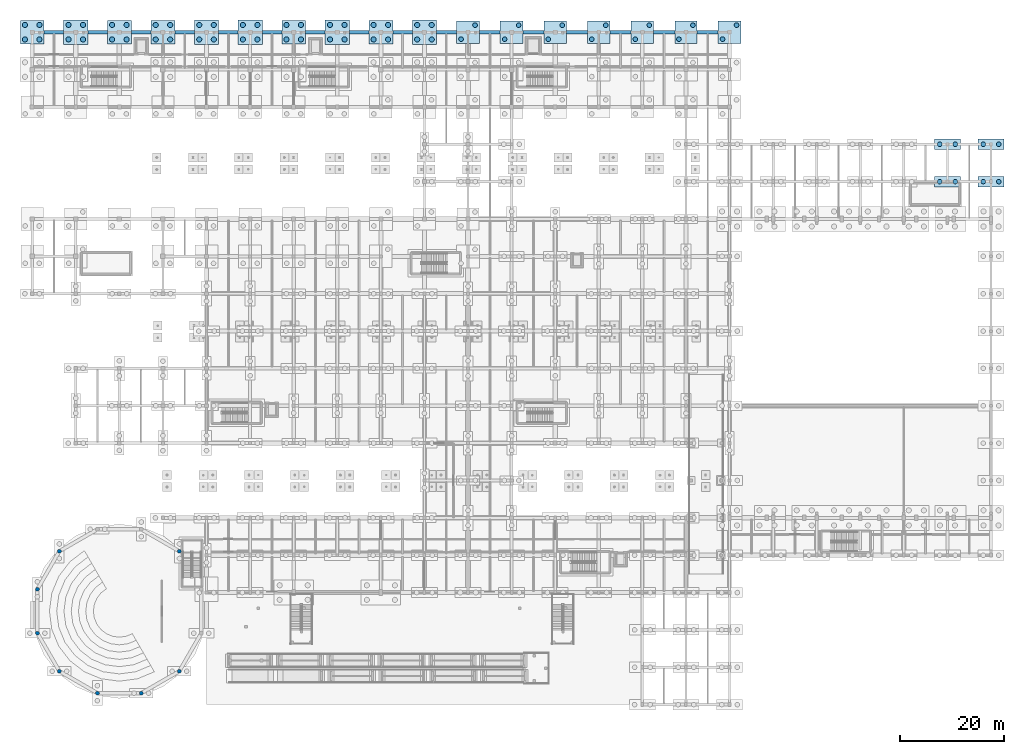
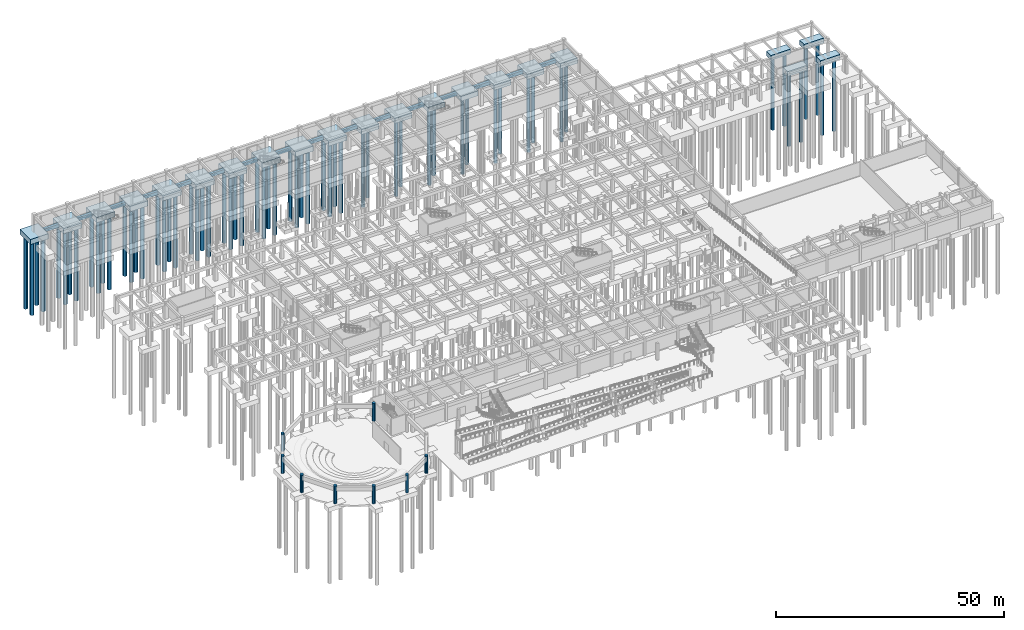
# One storey, part 15 of 80: 62 piles, 37 footings, 8 columns.
"""IFC4 building model written with IfcOpenShell, lengths in metres."""

from ifc_helpers import new_model, si_unit, direction, frame, origin, origin_2d, place, context, subcontext, project, spatial, polyline, rectangle, circle, outline, extrude, material, material_profile, profile_set, type_object, element, save


model = new_model("IFC4")

# Units and contexts
model_context = context("Model", 3, precision=1e-05, world=origin(), true_north=direction((0.0, 1.0)))
body_context = subcontext(model_context, "Body", "Model", "MODEL_VIEW")
ifc_project = project(units=[si_unit("LENGTHUNIT", "METRE"), si_unit("AREAUNIT", "SQUARE_METRE"), si_unit("VOLUMEUNIT", "CUBIC_METRE"), si_unit("PLANEANGLEUNIT", "RADIAN"), si_unit("MASSUNIT", "GRAM", prefix="KILO")], contexts=[model_context])

# Site, building, storey
site_placement = place(None, origin())
site = spatial("IfcSite", under=ifc_project, at=site_placement, CompositionType="ELEMENT")
building_placement = place(site_placement, origin())
building = spatial("IfcBuilding", under=site, at=building_placement, Name="Malvenik Polytechnic", CompositionType="ELEMENT")
storey_placement = place(building_placement, frame((0.0, 0.0, -4.800048828125)))
storey = spatial("IfcBuildingStorey", under=building, at=storey_placement, Name="B1", CompositionType="ELEMENT", Elevation=-4.800048828125)

# Footings
ifc_material_1 = material(Name="Concrete C35/45", Category="concrete")
footing_type_1 = type_object("IfcFootingType", Name="STR-PC-2000x5000x1300", PredefinedType="PILE_CAP", material=ifc_material_1)
for number, where, z_axis, x_axis, name in (
    (1, (176.39990234375, 100.800048828125, -1.2998046875), (0.0, 0.0, 1.0), (1.0, 0.0, 0.0), "Pile Cap PC-03 #248"),
    (2, (176.39990234375, 108.0, -1.2998046875), (0.0, 0.0, 1.0), (1.0, 0.0, 0.0), "Pile Cap PC-03 #249"),
    (3, (184.800048828125, 100.800048828125, -1.2998046875), (0.0, 0.0, 1.0), (1.0, 0.0, 0.0), "Pile Cap PC-03 #260"),
    (4, (184.800048828125, 108.0, -1.2998046875), (0.0, 0.0, 1.0), (1.0, 0.0, 0.0), "Pile Cap PC-03 #261"),
):
    element("IfcFooting", number, at=place(storey_placement, frame(where, z_axis=z_axis, x_axis=x_axis)), inside=storey, type_object=footing_type_1, Name=name, PredefinedType="PILE_CAP", context=body_context, shape_type="SweptSolid", body=[
        extrude(rectangle(XDim=5.0, YDim=2.0, at=origin_2d()), origin(), (0.0, 0.0, 1.0), 1.300048828125),
    ])
footing_type_2 = type_object("IfcFootingType", Name="STR-PC-4600x4600x1400", PredefinedType="PILE_CAP", material=ifc_material_1)
for number, where, z_axis, x_axis, name in (
    (5, (0.0, 129.60009765625, -1.39990234375), (0.0, 0.0, 1.0), (1.0, 0.0, 0.0), "Pile Cap PC-05 #6"),
    (6, (16.800048828125, 129.60009765625, -1.39990234375), (0.0, 0.0, 1.0), (1.0, 0.0, 0.0), "Pile Cap PC-05 #28"),
    (7, (25.199951171875, 129.60009765625, -1.39990234375), (0.0, 0.0, 1.0), (1.0, 0.0, 0.0), "Pile Cap PC-05 #40"),
    (8, (50.39990234375, 129.60009765625, -1.39990234375), (0.0, 0.0, 1.0), (1.0, 0.0, 0.0), "Pile Cap PC-05 #81"),
    (9, (67.199951171875, 129.60009765625, -1.39990234375), (0.0, 0.0, 1.0), (1.0, 0.0, 0.0), "Pile Cap PC-05 #105"),
):
    element("IfcFooting", number, at=place(storey_placement, frame(where, z_axis=z_axis, x_axis=x_axis)), inside=storey, type_object=footing_type_2, Name=name, PredefinedType="PILE_CAP", context=body_context, shape_type="SweptSolid", body=[
        extrude(rectangle(XDim=4.60009765625, YDim=4.60009765625, at=origin_2d()), origin(), (0.0, 0.0, 1.0), 1.39990234375),
    ])
footing_type_3 = type_object("IfcFootingType", Name="STR-PC-4700x4700x1450", PredefinedType="PILE_CAP", material=ifc_material_1)
for number, where, z_axis, x_axis, name in (
    (10, (8.39990234375, 129.60009765625, -1.44970703125), (0.0, 0.0, 1.0), (1.0, 0.0, 0.0), "Pile Cap PC-12 #19"),
    (11, (33.60009765625, 129.60009765625, -1.44970703125), (0.0, 0.0, 1.0), (1.0, 0.0, 0.0), "Pile Cap PC-12 #56"),
    (12, (42.0, 129.60009765625, -1.44970703125), (0.0, 0.0, 1.0), (1.0, 0.0, 0.0), "Pile Cap PC-12 #68"),
    (13, (58.800048828125, 129.60009765625, -1.44970703125), (0.0, 0.0, 1.0), (1.0, 0.0, 0.0), "Pile Cap PC-12 #92"),
    (14, (75.60009765625, 129.60009765625, -1.44970703125), (0.0, 0.0, 1.0), (1.0, 0.0, 0.0), "Pile Cap PC-12 #120"),
):
    element("IfcFooting", number, at=place(storey_placement, frame(where, z_axis=z_axis, x_axis=x_axis)), inside=storey, type_object=footing_type_3, Name=name, PredefinedType="PILE_CAP", context=body_context, shape_type="SweptSolid", body=[
        extrude(rectangle(XDim=4.699951171875, YDim=4.699951171875, at=origin_2d()), origin(), (0.0, 0.0, 1.0), 1.449951171875),
    ])
footing_type_4 = type_object("IfcFootingType", Name="STR-PC-COMB-36", PredefinedType="PILE_CAP", material=ifc_material_1)
footing_1_placement = place(storey_placement, frame((84.0, 129.60009765625, -1.35009765625), z_axis=(0.0, 0.0, 1.0), x_axis=(1.0, 0.0, 0.0)))
element("IfcFooting", 15, at=footing_1_placement, inside=storey, type_object=footing_type_4, Name="Pile Cap PCC-36 #136", PredefinedType="PILE_CAP", context=body_context, shape_type="SweptSolid", body=[
    extrude(rectangle(XDim=4.39990234375, YDim=4.39990234375, at=origin_2d()), origin(), (0.0, 0.0, 1.0), 1.35009765625),
])
footing_type_5 = type_object("IfcFootingType", Name="STR-PC-COMB-39", PredefinedType="PILE_CAP", material=ifc_material_1)
footing_2_placement = place(storey_placement, frame((92.39990234375, 129.60009765625, -1.35009765625), z_axis=(0.0, 0.0, 1.0), x_axis=(1.0, 0.0, 0.0)))
element("IfcFooting", 16, at=footing_2_placement, inside=storey, type_object=footing_type_5, Name="Pile Cap PCC-39 #152", PredefinedType="PILE_CAP", context=body_context, shape_type="SweptSolid", body=[
    extrude(rectangle(XDim=4.39990234375, YDim=4.39990234375, at=origin_2d()), origin(), (0.0, 0.0, 1.0), 1.35009765625),
])
footing_type_6 = type_object("IfcFootingType", Name="STR-PC-COMB-41", PredefinedType="PILE_CAP", material=ifc_material_1)
footing_3_placement = place(storey_placement, frame((100.800048828125, 129.60009765625, -1.2998046875), z_axis=(0.0, 0.0, 1.0), x_axis=(1.0, 0.0, 0.0)))
element("IfcFooting", 17, at=footing_3_placement, inside=storey, type_object=footing_type_6, Name="Pile Cap PCC-41 #163", PredefinedType="PILE_CAP", context=body_context, shape_type="SweptSolid", body=[
    extrude(rectangle(XDim=4.300048828125, YDim=4.300048828125, at=origin_2d()), origin(), (0.0, 0.0, 1.0), 1.300048828125),
])
footing_type_7 = type_object("IfcFootingType", Name="STR-PC-COMB-44", PredefinedType="PILE_CAP", material=ifc_material_1)
footing_4_placement = place(storey_placement, frame((109.199951171875, 129.60009765625, -1.2998046875), z_axis=(0.0, 0.0, 1.0), x_axis=(1.0, 0.0, 0.0)))
element("IfcFooting", 18, at=footing_4_placement, inside=storey, type_object=footing_type_7, Name="Pile Cap PCC-44 #175", PredefinedType="PILE_CAP", context=body_context, shape_type="SweptSolid", body=[
    extrude(rectangle(XDim=4.300048828125, YDim=4.300048828125, at=origin_2d()), origin(), (0.0, 0.0, 1.0), 1.300048828125),
])
footing_type_8 = type_object("IfcFootingType", Name="STR-PC-COMB-47", PredefinedType="PILE_CAP", material=ifc_material_1)
footing_5_placement = place(storey_placement, frame((117.60009765625, 129.60009765625, -1.2998046875), z_axis=(0.0, 0.0, 1.0), x_axis=(1.0, 0.0, 0.0)))
element("IfcFooting", 19, at=footing_5_placement, inside=storey, type_object=footing_type_8, Name="Pile Cap PCC-47 #191", PredefinedType="PILE_CAP", context=body_context, shape_type="SweptSolid", body=[
    extrude(rectangle(XDim=4.300048828125, YDim=4.300048828125, at=origin_2d()), origin(), (0.0, 0.0, 1.0), 1.300048828125),
])
footing_type_9 = type_object("IfcFootingType", Name="STR-PC-COMB-50", PredefinedType="PILE_CAP", material=ifc_material_1)
footing_6_placement = place(storey_placement, frame((126.0, 129.60009765625, -1.2998046875), z_axis=(0.0, 0.0, 1.0), x_axis=(1.0, 0.0, 0.0)))
element("IfcFooting", 20, at=footing_6_placement, inside=storey, type_object=footing_type_9, Name="Pile Cap PCC-50 #209", PredefinedType="PILE_CAP", context=body_context, shape_type="SweptSolid", body=[
    extrude(rectangle(XDim=4.300048828125, YDim=4.300048828125, at=origin_2d()), origin(), (0.0, 0.0, 1.0), 1.300048828125),
])
footing_type_10 = type_object("IfcFootingType", Name="STR-PC-COMB-53", PredefinedType="PILE_CAP", material=ifc_material_1)
footing_7_placement = place(storey_placement, frame((134.39990234375, 129.60009765625, -1.35009765625), z_axis=(0.0, 0.0, 1.0), x_axis=(1.0, 0.0, 0.0)))
element("IfcFooting", 21, at=footing_7_placement, inside=storey, type_object=footing_type_10, Name="Pile Cap PCC-53 #228", PredefinedType="PILE_CAP", context=body_context, shape_type="SweptSolid", body=[
    extrude(rectangle(XDim=4.39990234375, YDim=4.39990234375, at=origin_2d()), origin(), (0.0, 0.0, 1.0), 1.35009765625),
])

# Piles
ifc_material_profile_1 = material_profile(ifc_material_1, circle(Radius=0.5, at=origin_2d()), Name="BORED PILE D1000")
ifc_profile_set_1 = profile_set([ifc_material_profile_1], Name="Concrete C35/45")
pile_type_1 = type_object("IfcPileType", Name="STR-PL-D1000-196", PredefinedType="BORED", material=ifc_profile_set_1)
for number, where, z_axis, x_axis, name in (
    (22, (-1.39990234375, 128.199951171875, -1.300048828125), (0.0, 0.0, -1.0), (1.0, 0.0, 0.0), "Bored Pile PL-04 #13"),
    (23, (-1.39990234375, 131.0, -1.300048828125), (0.0, 0.0, -1.0), (1.0, 0.0, 0.0), "Bored Pile PL-04 #14"),
    (24, (1.39990234375, 128.199951171875, -1.300048828125), (0.0, 0.0, -1.0), (1.0, 0.0, 0.0), "Bored Pile PL-04 #15"),
    (25, (1.39990234375, 131.0, -1.300048828125), (0.0, 0.0, -1.0), (1.0, 0.0, 0.0), "Bored Pile PL-04 #16"),
    (26, (7.0, 128.199951171875, -1.349853515625), (0.0, 0.0, -1.0), (1.0, 0.0, 0.0), "Bored Pile PL-04 #43"),
    (27, (7.0, 131.0, -1.349853515625), (0.0, 0.0, -1.0), (1.0, 0.0, 0.0), "Bored Pile PL-04 #44"),
    (28, (9.800048828125, 128.199951171875, -1.349853515625), (0.0, 0.0, -1.0), (1.0, 0.0, 0.0), "Bored Pile PL-04 #45"),
    (29, (9.800048828125, 131.0, -1.349853515625), (0.0, 0.0, -1.0), (1.0, 0.0, 0.0), "Bored Pile PL-04 #46"),
    (30, (15.39990234375, 128.199951171875, -1.300048828125), (0.0, 0.0, -1.0), (1.0, 0.0, 0.0), "Bored Pile PL-04 #63"),
    (31, (15.39990234375, 131.0, -1.300048828125), (0.0, 0.0, -1.0), (1.0, 0.0, 0.0), "Bored Pile PL-04 #64"),
    (32, (18.199951171875, 128.199951171875, -1.300048828125), (0.0, 0.0, -1.0), (1.0, 0.0, 0.0), "Bored Pile PL-04 #65"),
    (33, (18.199951171875, 131.0, -1.300048828125), (0.0, 0.0, -1.0), (1.0, 0.0, 0.0), "Bored Pile PL-04 #66"),
    (34, (23.800048828125, 128.199951171875, -1.300048828125), (0.0, 0.0, -1.0), (1.0, 0.0, 0.0), "Bored Pile PL-04 #91"),
    (35, (23.800048828125, 131.0, -1.300048828125), (0.0, 0.0, -1.0), (1.0, 0.0, 0.0), "Bored Pile PL-04 #92"),
    (36, (26.60009765625, 128.199951171875, -1.300048828125), (0.0, 0.0, -1.0), (1.0, 0.0, 0.0), "Bored Pile PL-04 #93"),
    (37, (26.60009765625, 131.0, -1.300048828125), (0.0, 0.0, -1.0), (1.0, 0.0, 0.0), "Bored Pile PL-04 #94"),
    (38, (32.199951171875, 128.199951171875, -1.349853515625), (0.0, 0.0, -1.0), (1.0, 0.0, 0.0), "Bored Pile PL-04 #127"),
    (39, (32.199951171875, 131.0, -1.349853515625), (0.0, 0.0, -1.0), (1.0, 0.0, 0.0), "Bored Pile PL-04 #128"),
    (40, (35.0, 128.199951171875, -1.349853515625), (0.0, 0.0, -1.0), (1.0, 0.0, 0.0), "Bored Pile PL-04 #129"),
    (41, (35.0, 131.0, -1.349853515625), (0.0, 0.0, -1.0), (1.0, 0.0, 0.0), "Bored Pile PL-04 #130"),
    (42, (40.60009765625, 128.199951171875, -1.349853515625), (0.0, 0.0, -1.0), (1.0, 0.0, 0.0), "Bored Pile PL-04 #155"),
    (43, (40.60009765625, 131.0, -1.349853515625), (0.0, 0.0, -1.0), (1.0, 0.0, 0.0), "Bored Pile PL-04 #156"),
    (44, (43.39990234375, 128.199951171875, -1.349853515625), (0.0, 0.0, -1.0), (1.0, 0.0, 0.0), "Bored Pile PL-04 #157"),
    (45, (43.39990234375, 131.0, -1.349853515625), (0.0, 0.0, -1.0), (1.0, 0.0, 0.0), "Bored Pile PL-04 #158"),
    (46, (49.0, 128.199951171875, -1.300048828125), (0.0, 0.0, -1.0), (1.0, 0.0, 0.0), "Bored Pile PL-04 #187"),
    (47, (49.0, 131.0, -1.300048828125), (0.0, 0.0, -1.0), (1.0, 0.0, 0.0), "Bored Pile PL-04 #188"),
    (48, (51.800048828125, 128.199951171875, -1.300048828125), (0.0, 0.0, -1.0), (1.0, 0.0, 0.0), "Bored Pile PL-04 #189"),
    (49, (51.800048828125, 131.0, -1.300048828125), (0.0, 0.0, -1.0), (1.0, 0.0, 0.0), "Bored Pile PL-04 #190"),
    (50, (57.39990234375, 128.199951171875, -1.349853515625), (0.0, 0.0, -1.0), (1.0, 0.0, 0.0), "Bored Pile PL-04 #211"),
    (51, (57.39990234375, 131.0, -1.349853515625), (0.0, 0.0, -1.0), (1.0, 0.0, 0.0), "Bored Pile PL-04 #212"),
    (52, (60.199951171875, 128.199951171875, -1.349853515625), (0.0, 0.0, -1.0), (1.0, 0.0, 0.0), "Bored Pile PL-04 #213"),
    (53, (60.199951171875, 131.0, -1.349853515625), (0.0, 0.0, -1.0), (1.0, 0.0, 0.0), "Bored Pile PL-04 #214"),
    (54, (65.800048828125, 128.199951171875, -1.300048828125), (0.0, 0.0, -1.0), (1.0, 0.0, 0.0), "Bored Pile PL-04 #243"),
    (55, (65.800048828125, 131.0, -1.300048828125), (0.0, 0.0, -1.0), (1.0, 0.0, 0.0), "Bored Pile PL-04 #244"),
    (56, (68.60009765625, 128.199951171875, -1.300048828125), (0.0, 0.0, -1.0), (1.0, 0.0, 0.0), "Bored Pile PL-04 #245"),
    (57, (68.60009765625, 131.0, -1.300048828125), (0.0, 0.0, -1.0), (1.0, 0.0, 0.0), "Bored Pile PL-04 #246"),
    (58, (74.199951171875, 128.199951171875, -1.349853515625), (0.0, 0.0, -1.0), (1.0, 0.0, 0.0), "Bored Pile PL-04 #277"),
    (59, (74.199951171875, 131.0, -1.349853515625), (0.0, 0.0, -1.0), (1.0, 0.0, 0.0), "Bored Pile PL-04 #278"),
    (60, (77.0, 128.199951171875, -1.349853515625), (0.0, 0.0, -1.0), (1.0, 0.0, 0.0), "Bored Pile PL-04 #279"),
    (61, (77.0, 131.0, -1.349853515625), (0.0, 0.0, -1.0), (1.0, 0.0, 0.0), "Bored Pile PL-04 #280"),
):
    element("IfcPile", number, at=place(storey_placement, frame(where, z_axis=z_axis, x_axis=x_axis)), inside=storey, type_object=pile_type_1, Name=name, PredefinedType="BORED", context=body_context, shape_type="SweptSolid", body=[
        extrude(circle(Radius=0.5, at=origin_2d()), origin(), (0.0, 0.0, 1.0), 19.60009765625),
    ])
ifc_material_profile_2 = material_profile(ifc_material_1, circle(Radius=0.449951171875, at=origin_2d()), Name="BORED PILE D900")
ifc_profile_set_2 = profile_set([ifc_material_profile_2], Name="Concrete C35/45")
pile_type_2 = type_object("IfcPileType", Name="STR-PL-D900-195", PredefinedType="BORED", material=ifc_profile_set_2)
for number, where, z_axis, x_axis, name in (
    (62, (174.89990234375, 100.800048828125, -1.199951171875), (0.0, 0.0, -1.0), (1.0, 0.0, 0.0), "Bored Pile PL-01 #575"),
    (63, (177.89990234375, 100.800048828125, -1.199951171875), (0.0, 0.0, -1.0), (1.0, 0.0, 0.0), "Bored Pile PL-01 #576"),
    (64, (174.89990234375, 108.0, -1.199951171875), (0.0, 0.0, -1.0), (1.0, 0.0, 0.0), "Bored Pile PL-01 #577"),
    (65, (177.89990234375, 108.0, -1.199951171875), (0.0, 0.0, -1.0), (1.0, 0.0, 0.0), "Bored Pile PL-01 #578"),
    (66, (183.300048828125, 100.800048828125, -1.199951171875), (0.0, 0.0, -1.0), (1.0, 0.0, 0.0), "Bored Pile PL-01 #603"),
    (67, (186.300048828125, 100.800048828125, -1.199951171875), (0.0, 0.0, -1.0), (1.0, 0.0, 0.0), "Bored Pile PL-01 #604"),
    (68, (183.300048828125, 108.0, -1.199951171875), (0.0, 0.0, -1.0), (1.0, 0.0, 0.0), "Bored Pile PL-01 #605"),
    (69, (186.300048828125, 108.0, -1.199951171875), (0.0, 0.0, -1.0), (1.0, 0.0, 0.0), "Bored Pile PL-01 #606"),
):
    element("IfcPile", number, at=place(storey_placement, frame(where, z_axis=z_axis, x_axis=x_axis)), inside=storey, type_object=pile_type_2, Name=name, PredefinedType="BORED", context=body_context, shape_type="SweptSolid", body=[
        extrude(circle(Radius=0.449951171875, at=origin_2d()), origin(), (0.0, 0.0, 1.0), 19.5),
    ])
ifc_material_profile_3 = material_profile(ifc_material_1, circle(Radius=0.449951171875, at=origin_2d()), Name="BORED PILE D900")
ifc_profile_set_3 = profile_set([ifc_material_profile_3], Name="Concrete C35/45")
pile_type_3 = type_object("IfcPileType", Name="STR-PL-D900-202", PredefinedType="BORED", material=ifc_profile_set_3)
for number, where, z_axis, x_axis, name in (
    (70, (82.64990234375, 128.25, -1.25), (0.0, 0.0, -1.0), (1.0, 0.0, 0.0), "Bored Pile PL-03 #311"),
    (71, (85.35009765625, 130.949951171875, -1.25), (0.0, 0.0, -1.0), (1.0, 0.0, 0.0), "Bored Pile PL-03 #312"),
    (72, (91.050048828125, 128.25, -1.25), (0.0, 0.0, -1.0), (1.0, 0.0, 0.0), "Bored Pile PL-03 #343"),
    (73, (93.75, 130.949951171875, -1.25), (0.0, 0.0, -1.0), (1.0, 0.0, 0.0), "Bored Pile PL-03 #344"),
    (74, (99.449951171875, 128.25, -1.199951171875), (0.0, 0.0, -1.0), (1.0, 0.0, 0.0), "Bored Pile PL-03 #365"),
    (75, (102.14990234375, 130.949951171875, -1.199951171875), (0.0, 0.0, -1.0), (1.0, 0.0, 0.0), "Bored Pile PL-03 #366"),
    (76, (107.85009765625, 128.25, -1.199951171875), (0.0, 0.0, -1.0), (1.0, 0.0, 0.0), "Bored Pile PL-03 #389"),
    (77, (110.550048828125, 130.949951171875, -1.199951171875), (0.0, 0.0, -1.0), (1.0, 0.0, 0.0), "Bored Pile PL-03 #390"),
    (78, (116.25, 128.25, -1.199951171875), (0.0, 0.0, -1.0), (1.0, 0.0, 0.0), "Bored Pile PL-03 #421"),
    (79, (118.949951171875, 130.949951171875, -1.199951171875), (0.0, 0.0, -1.0), (1.0, 0.0, 0.0), "Bored Pile PL-03 #422"),
    (80, (124.64990234375, 128.25, -1.199951171875), (0.0, 0.0, -1.0), (1.0, 0.0, 0.0), "Bored Pile PL-03 #457"),
    (81, (127.35009765625, 130.949951171875, -1.199951171875), (0.0, 0.0, -1.0), (1.0, 0.0, 0.0), "Bored Pile PL-03 #458"),
    (82, (133.050048828125, 128.25, -1.25), (0.0, 0.0, -1.0), (1.0, 0.0, 0.0), "Bored Pile PL-03 #499"),
    (83, (135.75, 130.949951171875, -1.25), (0.0, 0.0, -1.0), (1.0, 0.0, 0.0), "Bored Pile PL-03 #500"),
):
    element("IfcPile", number, at=place(storey_placement, frame(where, z_axis=z_axis, x_axis=x_axis)), inside=storey, type_object=pile_type_3, Name=name, PredefinedType="BORED", context=body_context, shape_type="SweptSolid", body=[
        extrude(circle(Radius=0.449951171875, at=origin_2d()), origin(), (0.0, 0.0, 1.0), 20.199951171875),
    ])

# Footings
footing_type_11 = type_object("IfcFootingType", Name="STR-SF-700x900", PredefinedType="STRIP_FOOTING", material=ifc_material_1)
footing_8_placement = place(storey_placement, frame((0.0, 0.0, -0.89990234375)))
element("IfcFooting", 84, at=footing_8_placement, inside=storey, type_object=footing_type_11, Name="Ground Tie Beam SF-03 #158", PredefinedType="STRIP_FOOTING", context=body_context, shape_type="SweptSolid", body=[
    extrude(outline(polyline([(2.300048828125, 129.25), (6.050048828125, 129.25), (6.050048828125, 129.949951171875), (2.300048828125, 129.949951171875), (2.300048828125, 129.25)])), origin(), (0.0, 0.0, 1.0), 0.89990234375),
])
footing_9_placement = place(storey_placement, frame((0.0, 0.0, -0.89990234375)))
element("IfcFooting", 85, at=footing_9_placement, inside=storey, type_object=footing_type_11, Name="Ground Tie Beam SF-03 #159", PredefinedType="STRIP_FOOTING", context=body_context, shape_type="SweptSolid", body=[
    extrude(outline(polyline([(10.75, 129.25), (14.5, 129.25), (14.5, 129.949951171875), (10.75, 129.949951171875), (10.75, 129.25)])), origin(), (0.0, 0.0, 1.0), 0.89990234375),
])
footing_10_placement = place(storey_placement, frame((0.0, 0.0, -0.89990234375)))
element("IfcFooting", 86, at=footing_10_placement, inside=storey, type_object=footing_type_11, Name="Ground Tie Beam SF-03 #160", PredefinedType="STRIP_FOOTING", context=body_context, shape_type="SweptSolid", body=[
    extrude(outline(polyline([(19.10009765625, 129.25), (22.89990234375, 129.25), (22.89990234375, 129.949951171875), (19.10009765625, 129.949951171875), (19.10009765625, 129.25)])), origin(), (0.0, 0.0, 1.0), 0.89990234375),
])
footing_11_placement = place(storey_placement, frame((0.0, 0.0, -0.89990234375)))
element("IfcFooting", 87, at=footing_11_placement, inside=storey, type_object=footing_type_11, Name="Ground Tie Beam SF-03 #161", PredefinedType="STRIP_FOOTING", context=body_context, shape_type="SweptSolid", body=[
    extrude(outline(polyline([(27.5, 129.25), (31.25, 129.25), (31.25, 129.949951171875), (27.5, 129.949951171875), (27.5, 129.25)])), origin(), (0.0, 0.0, 1.0), 0.89990234375),
])
footing_12_placement = place(storey_placement, frame((0.0, 0.0, -0.89990234375)))
element("IfcFooting", 88, at=footing_12_placement, inside=storey, type_object=footing_type_11, Name="Ground Tie Beam SF-03 #162", PredefinedType="STRIP_FOOTING", context=body_context, shape_type="SweptSolid", body=[
    extrude(outline(polyline([(35.949951171875, 129.25), (39.64990234375, 129.25), (39.64990234375, 129.949951171875), (35.949951171875, 129.949951171875), (35.949951171875, 129.25)])), origin(), (0.0, 0.0, 1.0), 0.89990234375),
])
footing_13_placement = place(storey_placement, frame((0.0, 0.0, -0.89990234375)))
element("IfcFooting", 89, at=footing_13_placement, inside=storey, type_object=footing_type_11, Name="Ground Tie Beam SF-03 #163", PredefinedType="STRIP_FOOTING", context=body_context, shape_type="SweptSolid", body=[
    extrude(outline(polyline([(44.35009765625, 129.25), (48.10009765625, 129.25), (48.10009765625, 129.949951171875), (44.35009765625, 129.949951171875), (44.35009765625, 129.25)])), origin(), (0.0, 0.0, 1.0), 0.89990234375),
])
footing_14_placement = place(storey_placement, frame((0.0, 0.0, -0.89990234375)))
element("IfcFooting", 90, at=footing_14_placement, inside=storey, type_object=footing_type_11, Name="Ground Tie Beam SF-03 #164", PredefinedType="STRIP_FOOTING", context=body_context, shape_type="SweptSolid", body=[
    extrude(outline(polyline([(52.699951171875, 129.25), (56.449951171875, 129.25), (56.449951171875, 129.949951171875), (52.699951171875, 129.949951171875), (52.699951171875, 129.25)])), origin(), (0.0, 0.0, 1.0), 0.89990234375),
])
footing_15_placement = place(storey_placement, frame((0.0, 0.0, -0.89990234375)))
element("IfcFooting", 91, at=footing_15_placement, inside=storey, type_object=footing_type_11, Name="Ground Tie Beam SF-03 #165", PredefinedType="STRIP_FOOTING", context=body_context, shape_type="SweptSolid", body=[
    extrude(outline(polyline([(61.14990234375, 129.25), (64.89990234375, 129.25), (64.89990234375, 129.949951171875), (61.14990234375, 129.949951171875), (61.14990234375, 129.25)])), origin(), (0.0, 0.0, 1.0), 0.89990234375),
])
footing_16_placement = place(storey_placement, frame((0.0, 0.0, -0.89990234375)))
element("IfcFooting", 92, at=footing_16_placement, inside=storey, type_object=footing_type_11, Name="Ground Tie Beam SF-03 #166", PredefinedType="STRIP_FOOTING", context=body_context, shape_type="SweptSolid", body=[
    extrude(outline(polyline([(69.5, 129.25), (73.25, 129.25), (73.25, 129.949951171875), (69.5, 129.949951171875), (69.5, 129.25)])), origin(), (0.0, 0.0, 1.0), 0.89990234375),
])
footing_17_placement = place(storey_placement, frame((0.0, 0.0, -0.89990234375)))
element("IfcFooting", 93, at=footing_17_placement, inside=storey, type_object=footing_type_11, Name="Ground Tie Beam SF-03 #167", PredefinedType="STRIP_FOOTING", context=body_context, shape_type="SweptSolid", body=[
    extrude(outline(polyline([(77.949951171875, 129.25), (81.800048828125, 129.25), (81.800048828125, 129.949951171875), (77.949951171875, 129.949951171875), (77.949951171875, 129.25)])), origin(), (0.0, 0.0, 1.0), 0.89990234375),
])
footing_18_placement = place(storey_placement, frame((0.0, 0.0, -0.89990234375)))
element("IfcFooting", 94, at=footing_18_placement, inside=storey, type_object=footing_type_11, Name="Ground Tie Beam SF-03 #168", PredefinedType="STRIP_FOOTING", context=body_context, shape_type="SweptSolid", body=[
    extrude(outline(polyline([(86.199951171875, 129.25), (90.199951171875, 129.25), (90.199951171875, 129.949951171875), (86.199951171875, 129.949951171875), (86.199951171875, 129.25)])), origin(), (0.0, 0.0, 1.0), 0.89990234375),
])
footing_19_placement = place(storey_placement, frame((0.0, 0.0, -0.89990234375)))
element("IfcFooting", 95, at=footing_19_placement, inside=storey, type_object=footing_type_11, Name="Ground Tie Beam SF-03 #169", PredefinedType="STRIP_FOOTING", context=body_context, shape_type="SweptSolid", body=[
    extrude(outline(polyline([(94.60009765625, 129.25), (98.64990234375, 129.25), (98.64990234375, 129.949951171875), (94.60009765625, 129.949951171875), (94.60009765625, 129.25)])), origin(), (0.0, 0.0, 1.0), 0.89990234375),
])
footing_20_placement = place(storey_placement, frame((0.0, 0.0, -0.89990234375)))
element("IfcFooting", 96, at=footing_20_placement, inside=storey, type_object=footing_type_11, Name="Ground Tie Beam SF-03 #170", PredefinedType="STRIP_FOOTING", context=body_context, shape_type="SweptSolid", body=[
    extrude(outline(polyline([(102.949951171875, 129.25), (107.050048828125, 129.25), (107.050048828125, 129.949951171875), (102.949951171875, 129.949951171875), (102.949951171875, 129.25)])), origin(), (0.0, 0.0, 1.0), 0.89990234375),
])
footing_21_placement = place(storey_placement, frame((0.0, 0.0, -0.89990234375)))
element("IfcFooting", 97, at=footing_21_placement, inside=storey, type_object=footing_type_11, Name="Ground Tie Beam SF-03 #171", PredefinedType="STRIP_FOOTING", context=body_context, shape_type="SweptSolid", body=[
    extrude(outline(polyline([(111.35009765625, 129.25), (115.449951171875, 129.25), (115.449951171875, 129.949951171875), (111.35009765625, 129.949951171875), (111.35009765625, 129.25)])), origin(), (0.0, 0.0, 1.0), 0.89990234375),
])
footing_22_placement = place(storey_placement, frame((0.0, 0.0, -0.89990234375)))
element("IfcFooting", 98, at=footing_22_placement, inside=storey, type_object=footing_type_11, Name="Ground Tie Beam SF-03 #172", PredefinedType="STRIP_FOOTING", context=body_context, shape_type="SweptSolid", body=[
    extrude(outline(polyline([(119.75, 129.25), (123.85009765625, 129.25), (123.85009765625, 129.949951171875), (119.75, 129.949951171875), (119.75, 129.25)])), origin(), (0.0, 0.0, 1.0), 0.89990234375),
])
footing_23_placement = place(storey_placement, frame((0.0, 0.0, -0.89990234375)))
element("IfcFooting", 99, at=footing_23_placement, inside=storey, type_object=footing_type_11, Name="Ground Tie Beam SF-03 #173", PredefinedType="STRIP_FOOTING", context=body_context, shape_type="SweptSolid", body=[
    extrude(outline(polyline([(128.14990234375, 129.25), (132.199951171875, 129.25), (132.199951171875, 129.949951171875), (128.14990234375, 129.949951171875), (128.14990234375, 129.25)])), origin(), (0.0, 0.0, 1.0), 0.89990234375),
])

# Columns
ifc_material_2 = material(Name="Concrete C40/50", Category="concrete")
ifc_material_profile_4 = material_profile(ifc_material_2, circle(Radius=0.375, at=origin_2d()), Name="RC COL D750")
ifc_profile_set_4 = profile_set([ifc_material_profile_4], Name="Concrete C40/50")
column_type = type_object("IfcColumnType", Name="STR-COL-C-16", PredefinedType="COLUMN", material=ifc_profile_set_4)
for number, where, z_axis, x_axis, name in (
    (100, (1.007080078125, 13.76806640625, 0.0), (0.0, 0.0, 1.0), (1.0, 0.0, 0.0), "Column C-16 B1 (1.0,13.8)"),
    (101, (1.007080078125, 22.23193359375, 0.0), (0.0, 0.0, 1.0), (1.0, 0.0, 0.0), "Column C-16 B1 (1.0,22.2)"),
    (102, (5.239013671875, 6.43896484375, 0.0), (0.0, 0.0, 1.0), (1.0, 0.0, 0.0), "Column C-16 B1 (5.2,6.4)"),
    (103, (5.239013671875, 29.56103515625, 0.0), (0.0, 0.0, 1.0), (1.0, 0.0, 0.0), "Column C-16 B1 (5.2,29.6)"),
    (104, (12.568115234375, 2.20703125, 0.0), (0.0, 0.0, 1.0), (1.0, 0.0, 0.0), "Column C-16 B1 (12.6,2.2)"),
    (105, (21.031982421875, 2.20703125, 0.0), (0.0, 0.0, 1.0), (1.0, 0.0, 0.0), "Column C-16 B1 (21.0,2.2)"),
    (106, (28.361083984375, 6.43896484375, 0.0), (0.0, 0.0, 1.0), (1.0, 0.0, 0.0), "Column C-16 B1 (28.4,6.4)"),
    (107, (28.361083984375, 29.56103515625, 0.0), (0.0, 0.0, 1.0), (1.0, 0.0, 0.0), "Column C-16 B1 (28.4,29.6)"),
):
    element("IfcColumn", number, at=place(storey_placement, frame(where, z_axis=z_axis, x_axis=x_axis)), inside=storey, type_object=column_type, Name=name, PredefinedType="COLUMN", context=body_context, shape_type="SweptSolid", body=[
        extrude(circle(Radius=0.375, at=origin_2d()), origin(), (0.0, 0.0, 1.0), 4.800048828125),
    ])

save(model, "model.ifc")
